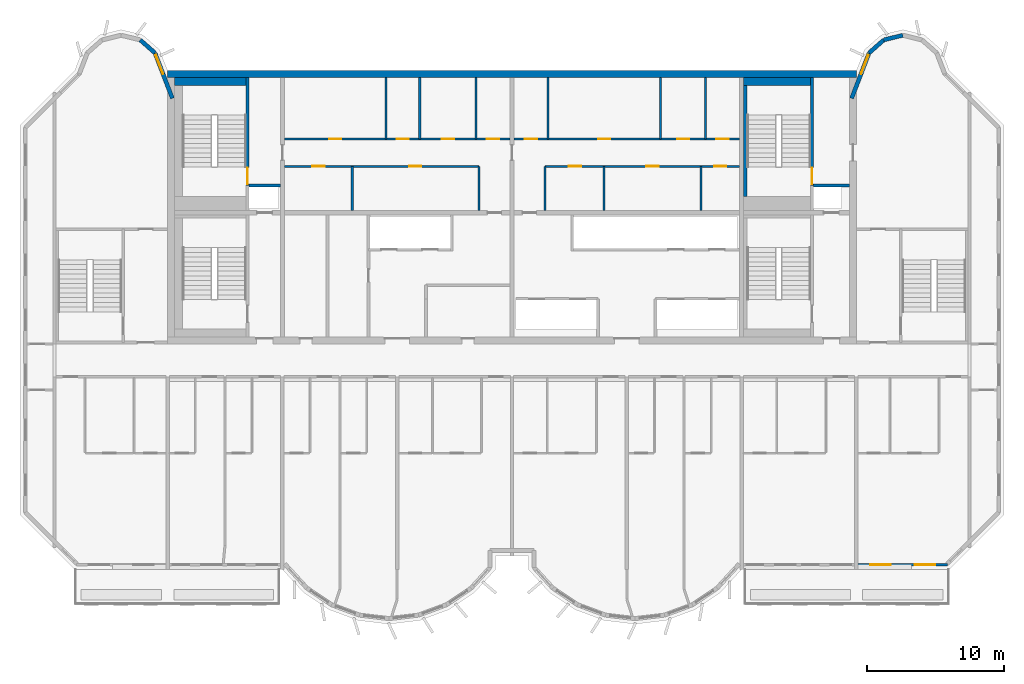
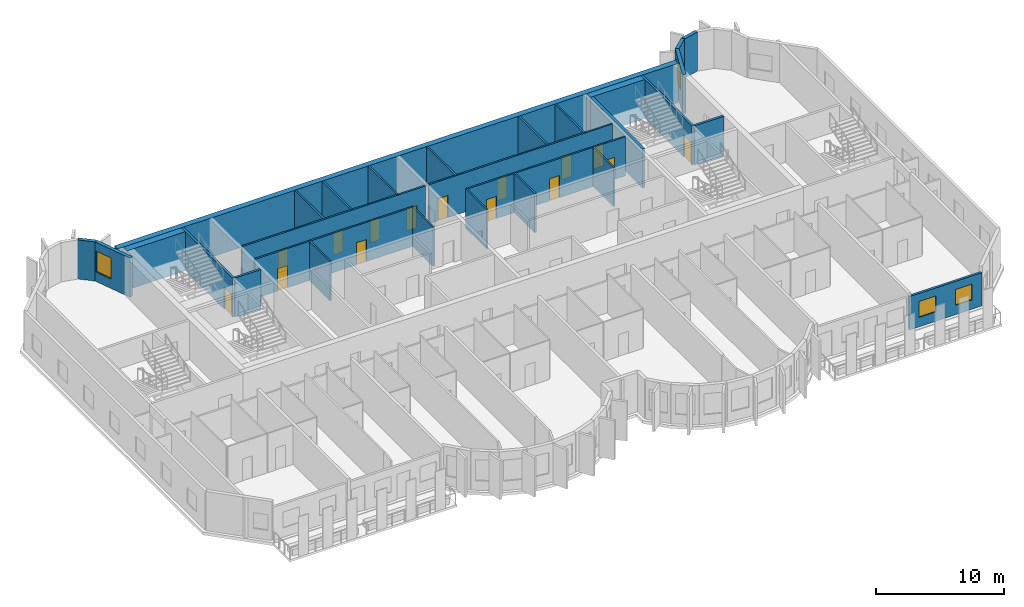
# One storey, part 7 of 12: 29 walls, 15 doors, 4 windows, 19 openings.
"""IFC4 building model written with IfcOpenShell, lengths in metres."""

from ifc_helpers import new_model, si_unit, direction, frame, frame_2d, origin, place, context, subcontext, project, spatial, rectangle, extrude, source, transform, mapped, material, layer, layer_set, type_object, element, fill, save


model = new_model("IFC4")

# Units and contexts
model_context = context("Model", 3, precision=1e-05, world=origin(), true_north=direction((0.0, 1.0)))
body_context = subcontext(model_context, "Body", "Model", "MODEL_VIEW")
ifc_project = project(units=[si_unit("LENGTHUNIT", "METRE"), si_unit("AREAUNIT", "SQUARE_METRE"), si_unit("VOLUMEUNIT", "CUBIC_METRE"), si_unit("PLANEANGLEUNIT", "RADIAN"), si_unit("MASSUNIT", "GRAM", prefix="KILO")], contexts=[model_context])

# Site, building, storey
site_placement = place(None, origin())
site = spatial("IfcSite", under=ifc_project, at=site_placement, CompositionType="ELEMENT")
building_placement = place(site_placement, origin())
building = spatial("IfcBuilding", under=site, at=building_placement, Name="Vanashikhar Sky Hotel", CompositionType="ELEMENT")
storey_placement = place(building_placement, frame((0.0, 0.0, 297.699951171875)))
storey = spatial("IfcBuildingStorey", under=building, at=storey_placement, Name="L71", CompositionType="ELEMENT", Elevation=297.699951171875)

# Wall
ifc_material_1 = material(Name="Concrete M50", Category="concrete")
ifc_layer_1 = layer(ifc_material_1, 0.5)
ifc_layer_set_1 = layer_set([ifc_layer_1], Name="RC core shell wall 500 Concrete M50")
wall_type_1 = type_object("IfcWallType", Name="RC core shell wall 500 Concrete M50", PredefinedType="SHEAR", material=ifc_layer_set_1)
shared_shape_1 = source(origin(), body_context, "Body", "SweptSolid", [
    extrude(rectangle(XDim=50.400146484375, YDim=0.5, at=frame_2d((25.2001953125, 0.0))), origin(), (0.0, 0.0, 1.0), 3.719970703125),
])
wall_1_placement = place(storey_placement, frame((25.199951171875, 41.75, 0.0), z_axis=(0.0, 0.0, 1.0), x_axis=(1.0, 0.0, 0.0)))
element("IfcWall", 1, at=wall_1_placement, inside=storey, type_object=wall_type_1, Name="KW-L71-KN", PredefinedType="SHEAR", context=body_context, shape_type="MappedRepresentation", body=[
    mapped(shared_shape_1, transform((0.0, 0.0, 0.0), scale=1.0)),
])

# Wall, openings, windows
ifc_layer_2 = layer(ifc_material_1, 0.199951171875)
ifc_layer_set_2 = layer_set([ifc_layer_2], Name="Front window wall 200")
wall_type_2 = type_object("IfcWallType", Name="Front window wall 200", PredefinedType="SOLIDWALL", material=ifc_layer_set_2)
shared_shape_2 = source(origin(), body_context, "Body", "SweptSolid", [
    extrude(rectangle(XDim=6.52978515625, YDim=0.199951171875, at=frame_2d((3.264892578125, 0.0))), origin(), (0.0, 0.0, 1.0), 3.170166015625),
])
wall_2_placement = place(storey_placement, frame((75.72509765625, 5.85009765625, 0.0), z_axis=(0.0, 0.0, 1.0), x_axis=(1.0, 0.0, 0.0)))
wall_2 = element("IfcWall", 2, at=wall_2_placement, inside=storey, type_object=wall_type_2, Name="Front window wall", PredefinedType="SOLIDWALL", context=body_context, shape_type="MappedRepresentation", body=[
    mapped(shared_shape_2, transform((0.0, 0.0, 0.0), scale=1.0)),
])
shared_shape_3 = source(origin(), body_context, "Body", "SweptSolid", [
    extrude(rectangle(XDim=1.5, YDim=1.5, at=frame_2d((0.75, 0.75))), frame((0.0, 0.10986328125, 0.0), z_axis=(0.0, -1.0, 0.0), x_axis=(1.0, 0.0, 0.0)), (0.0, 0.0, 1.0), 0.219970703125),
])
opening_1_placement = place(wall_2_placement, frame((0.882568359375, 0.0, 0.89990234375)))
opening_1 = element("IfcOpeningElement", 3, at=opening_1_placement, cuts=wall_2, Name="Opening WN-1", PredefinedType="OPENING", context=body_context, shape_type="MappedRepresentation", body=[
    mapped(shared_shape_3, transform((0.0, 0.0, 0.0), scale=1.0)),
])
opening_2_placement = place(wall_2_placement, frame((4.1474609375, 0.0, 0.89990234375)))
opening_2 = element("IfcOpeningElement", 4, at=opening_2_placement, cuts=wall_2, Name="Opening WN-1", PredefinedType="OPENING", context=body_context, shape_type="MappedRepresentation", body=[
    mapped(shared_shape_3, transform((0.0, 0.0, 0.0), scale=1.0)),
])
ifc_material_2 = material(Name="Glass", Category="glass")
window_type_1 = type_object("IfcWindowType", Name="Window 1500 x 1500", PartitioningType="SINGLE_PANEL", PredefinedType="WINDOW", material=ifc_material_2)
shared_shape_4 = source(origin(), body_context, "Body", "SweptSolid", [
    extrude(rectangle(XDim=1.5, YDim=1.5, at=frame_2d((0.75, 0.75))), frame((0.0, 0.030029296875, 0.0), z_axis=(0.0, -1.0, 0.0), x_axis=(1.0, 0.0, 0.0)), (0.0, 0.0, 1.0), 0.06005859375),
])
window_1_placement = place(opening_1_placement, origin())
window_1 = element("IfcWindow", 5, at=window_1_placement, inside=storey, type_object=window_type_1, Name="Window WN-1", OverallHeight=1.5, OverallWidth=1.5, PartitioningType="SINGLE_PANEL", PredefinedType="WINDOW", context=body_context, shape_type="MappedRepresentation", body=[
    mapped(shared_shape_4, transform((0.0, 0.0, 0.0), scale=1.0)),
])
fill(opening_1, window_1)
window_2_placement = place(opening_2_placement, origin())
window_2 = element("IfcWindow", 6, at=window_2_placement, inside=storey, type_object=window_type_1, Name="Window WN-1", OverallHeight=1.5, OverallWidth=1.5, PartitioningType="SINGLE_PANEL", PredefinedType="WINDOW", context=body_context, shape_type="MappedRepresentation", body=[
    mapped(shared_shape_4, transform((0.0, 0.0, 0.0), scale=1.0)),
])
fill(opening_2, window_2)

# Walls
ifc_layer_3 = layer(ifc_material_1, 0.300048828125)
ifc_layer_set_3 = layer_set([ifc_layer_3], Name="Lobe wall 300")
wall_type_3 = type_object("IfcWallType", Name="Lobe wall 300", PredefinedType="SOLIDWALL", material=ifc_layer_set_3)
shared_shape_5 = source(origin(), body_context, "Body", "SweptSolid", [
    extrude(rectangle(XDim=1.43994140625, YDim=0.300048828125, at=frame_2d((0.719970703125, 0.0))), origin(), (0.0, 0.0, 1.0), 3.719970703125),
])
wall_3_placement = place(storey_placement, frame((77.602783203125, 44.2451171875, 0.0), z_axis=(0.0, 0.0, 1.0), x_axis=(-0.74957555648, -0.661918790432, 0.0)))
element("IfcWall", 7, at=wall_3_placement, inside=storey, type_object=wall_type_3, Name="Lobe wall", PredefinedType="SOLIDWALL", context=body_context, shape_type="MappedRepresentation", body=[
    mapped(shared_shape_5, transform((0.0, 0.0, 0.0), scale=1.0)),
])
shared_shape_6 = source(origin(), body_context, "Body", "SweptSolid", [
    extrude(rectangle(XDim=1.438720703125, YDim=0.300048828125, at=frame_2d((0.71923828125, 0.0))), origin(), (0.0, 0.0, 1.0), 3.719970703125),
])
wall_4_placement = place(storey_placement, frame((79.0, 44.588134765625, 0.0), z_axis=(0.0, 0.0, 1.0), x_axis=(-0.971161932466, -0.238420848351, 0.0)))
element("IfcWall", 8, at=wall_4_placement, inside=storey, type_object=wall_type_3, Name="Lobe wall", PredefinedType="SOLIDWALL", context=body_context, shape_type="MappedRepresentation", body=[
    mapped(shared_shape_6, transform((0.0, 0.0, 0.0), scale=1.0)),
])

# Wall, opening, window
shared_shape_7 = source(origin(), body_context, "Body", "SweptSolid", [
    extrude(rectangle(XDim=3.55908203125, YDim=0.300048828125, at=frame_2d((1.779541015625, 0.0))), origin(), (0.0, 0.0, 1.0), 3.719970703125),
])
wall_5_placement = place(storey_placement, frame((76.5234375, 43.2919921875, 0.0), z_axis=(0.0, 0.0, 1.0), x_axis=(-0.35779745313, -0.933799219604, 0.0)))
wall_5 = element("IfcWall", 9, at=wall_5_placement, inside=storey, type_object=wall_type_3, Name="Lobe wall", PredefinedType="SOLIDWALL", context=body_context, shape_type="MappedRepresentation", body=[
    mapped(shared_shape_7, transform((0.0, 0.0, 0.0), scale=1.0)),
])
shared_shape_8 = source(origin(), body_context, "Body", "SweptSolid", [
    extrude(rectangle(XDim=1.5, YDim=2.0, at=frame_2d((0.75, 1.0))), frame((0.0, 0.16015625, 0.0), z_axis=(0.0, -1.0, 0.0), x_axis=(1.0, 0.0, 0.0)), (0.0, 0.0, 1.0), 0.320068359375),
])
opening_3_placement = place(wall_5_placement, frame((0.156005859375, 0.0, 0.89990234375)))
opening_3 = element("IfcOpeningElement", 10, at=opening_3_placement, cuts=wall_5, Name="Opening WN-2", PredefinedType="OPENING", context=body_context, shape_type="MappedRepresentation", body=[
    mapped(shared_shape_8, transform((0.0, 0.0, 0.0), scale=1.0)),
])
window_type_2 = type_object("IfcWindowType", Name="Lobe window 1500 x 2000", PartitioningType="SINGLE_PANEL", PredefinedType="WINDOW", material=ifc_material_2)
shared_shape_9 = source(origin(), body_context, "Body", "SweptSolid", [
    extrude(rectangle(XDim=1.5, YDim=2.0, at=frame_2d((0.75, 1.0))), frame((0.0, 0.030029296875, 0.0), z_axis=(0.0, -1.0, 0.0), x_axis=(1.0, 0.0, 0.0)), (0.0, 0.0, 1.0), 0.06005859375),
])
window_3_placement = place(opening_3_placement, origin())
window_3 = element("IfcWindow", 11, at=window_3_placement, inside=storey, type_object=window_type_2, Name="Window WN-2", OverallHeight=2.0, OverallWidth=1.5, PartitioningType="SINGLE_PANEL", PredefinedType="WINDOW", context=body_context, shape_type="MappedRepresentation", body=[
    mapped(shared_shape_9, transform((0.0, 0.0, 0.0), scale=1.0)),
])
fill(opening_3, window_3)

wall_6_placement = place(storey_placement, frame((25.550048828125, 39.968505859375, 0.0), z_axis=(0.0, 0.0, 1.0), x_axis=(-0.35779745313, 0.933799219604, 0.0)))
wall_6 = element("IfcWall", 12, at=wall_6_placement, inside=storey, type_object=wall_type_3, Name="Lobe wall", PredefinedType="SOLIDWALL", context=body_context, shape_type="MappedRepresentation", body=[
    mapped(shared_shape_7, transform((0.0, 0.0, 0.0), scale=1.0)),
])
opening_4_placement = place(wall_6_placement, frame((1.9033203125, 0.0, 0.89990234375)))
opening_4 = element("IfcOpeningElement", 13, at=opening_4_placement, cuts=wall_6, Name="Opening WN-2", PredefinedType="OPENING", context=body_context, shape_type="MappedRepresentation", body=[
    mapped(shared_shape_8, transform((0.0, 0.0, 0.0), scale=1.0)),
])
window_4_placement = place(opening_4_placement, origin())
window_4 = element("IfcWindow", 14, at=window_4_placement, inside=storey, type_object=window_type_2, Name="Window WN-2", OverallHeight=2.0, OverallWidth=1.5, PartitioningType="SINGLE_PANEL", PredefinedType="WINDOW", context=body_context, shape_type="MappedRepresentation", body=[
    mapped(shared_shape_9, transform((0.0, 0.0, 0.0), scale=1.0)),
])
fill(opening_4, window_4)

# Walls
shared_shape_10 = source(origin(), body_context, "Body", "SweptSolid", [
    extrude(rectangle(XDim=1.440185546875, YDim=0.300048828125, at=frame_2d((0.72021484375, 0.0))), origin(), (0.0, 0.0, 1.0), 3.719970703125),
])
wall_7_placement = place(storey_placement, frame((24.276611328125, 43.2919921875, 0.0), z_axis=(0.0, 0.0, 1.0), x_axis=(-0.749649827867, 0.661834673902, 0.0)))
element("IfcWall", 15, at=wall_7_placement, inside=storey, type_object=wall_type_3, Name="Lobe wall", PredefinedType="SOLIDWALL", context=body_context, shape_type="MappedRepresentation", body=[
    mapped(shared_shape_10, transform((0.0, 0.0, 0.0), scale=1.0)),
])
ifc_material_3 = material(Name="Gypsum board partition")
ifc_layer_4 = layer(ifc_material_3, 0.14990234375)
ifc_layer_set_4 = layer_set([ifc_layer_4], Name="Service partition 150")
wall_type_4 = type_object("IfcWallType", Name="Service partition 150", PredefinedType="PARTITIONING", material=ifc_layer_set_4)
shared_shape_11 = source(origin(), body_context, "Body", "SweptSolid", [
    extrude(rectangle(XDim=3.25, YDim=0.14990234375, at=frame_2d((1.625, 0.0))), origin(), (0.0, 0.0, 1.0), 3.719970703125),
])
for number, where, z_axis, x_axis, name in (
    (16, (48.0, 31.75, 0.0), (0.0, 0.0, 1.0), (0.0, 1.0, 0.0), "Service partition 150"),
    (17, (38.7109375, 31.75, 0.0), (0.0, 0.0, 1.0), (0.0, 1.0, 0.0), "Service partition 150"),
    (18, (52.800048828125, 31.75, 0.0), (0.0, 0.0, 1.0), (0.0, 1.0, 0.0), "Service partition 150"),
    (19, (64.215087890625, 31.75, 0.0), (0.0, 0.0, 1.0), (0.0, 1.0, 0.0), "Service partition 150"),
    (20, (57.126953125, 31.75, 0.0), (0.0, 0.0, 1.0), (0.0, 1.0, 0.0), "Service partition 150"),
):
    element("IfcWall", number, at=place(storey_placement, frame(where, z_axis=z_axis, x_axis=x_axis)), inside=storey, type_object=wall_type_4, Name=name, PredefinedType="PARTITIONING", context=body_context, shape_type="MappedRepresentation", body=[
        mapped(shared_shape_11, transform((0.0, 0.0, 0.0), scale=1.0)),
    ])

# Wall, openings, doors
shared_shape_12 = source(origin(), body_context, "Body", "SweptSolid", [
    extrude(rectangle(XDim=14.25, YDim=0.14990234375, at=frame_2d((7.125, 0.0))), origin(), (0.0, 0.0, 1.0), 3.719970703125),
])
wall_8_placement = place(storey_placement, frame((33.75, 35.0, 0.0), z_axis=(0.0, 0.0, 1.0), x_axis=(1.0, 0.0, 0.0)))
wall_8 = element("IfcWall", 21, at=wall_8_placement, inside=storey, type_object=wall_type_4, Name="Service partition 150", PredefinedType="PARTITIONING", context=body_context, shape_type="MappedRepresentation", body=[
    mapped(shared_shape_12, transform((0.0, 0.0, 0.0), scale=1.0)),
])
shared_shape_13 = source(origin(), body_context, "Body", "SweptSolid", [
    extrude(rectangle(XDim=0.89990234375, YDim=2.10009765625, at=frame_2d((0.449951171875, 1.050048828125))), frame((0.0, 0.0849609375, 0.0), z_axis=(0.0, -1.0, 0.0), x_axis=(1.0, 0.0, 0.0)), (0.0, 0.0, 1.0), 0.169921875),
])
opening_5_placement = place(wall_8_placement, frame((2.031005859375, 0.0, 0.0)))
opening_5 = element("IfcOpeningElement", 22, at=opening_5_placement, cuts=wall_8, Name="Opening DC-4-A", PredefinedType="OPENING", context=body_context, shape_type="MappedRepresentation", body=[
    mapped(shared_shape_13, transform((0.0, 0.0, 0.0), scale=1.0)),
])
opening_6_placement = place(wall_8_placement, frame((9.117919921875, 0.0, 0.0)))
opening_6 = element("IfcOpeningElement", 23, at=opening_6_placement, cuts=wall_8, Name="Opening DC-4-A", PredefinedType="OPENING", context=body_context, shape_type="MappedRepresentation", body=[
    mapped(shared_shape_13, transform((0.0, 0.0, 0.0), scale=1.0)),
])
ifc_material_4 = material(Name="Steel", Category="steel")
door_type_1 = type_object("IfcDoorType", Name="Service door 900 FD60", OperationType="NOTDEFINED", PredefinedType="DOOR", material=ifc_material_4)
shared_shape_14 = source(origin(), body_context, "Body", "SweptSolid", [
    extrude(rectangle(XDim=0.89990234375, YDim=2.10009765625, at=frame_2d((0.449951171875, 1.050048828125))), frame((0.0, 0.02490234375, 0.0), z_axis=(0.0, -1.0, 0.0), x_axis=(1.0, 0.0, 0.0)), (0.0, 0.0, 1.0), 0.050048828125),
])
door_1_placement = place(opening_5_placement, origin())
door_1 = element("IfcDoor", 24, at=door_1_placement, inside=storey, type_object=door_type_1, Name="Service door 900 FD60", OperationType="SINGLE_SWING_RIGHT", OverallHeight=2.10009765625, OverallWidth=0.89990234375, PredefinedType="DOOR", context=body_context, shape_type="MappedRepresentation", body=[
    mapped(shared_shape_14, transform((0.0, 0.0, 0.0), scale=1.0)),
])
fill(opening_5, door_1)
door_2_placement = place(opening_6_placement, origin())
door_2 = element("IfcDoor", 25, at=door_2_placement, inside=storey, type_object=door_type_1, Name="Service door 900 FD60", OperationType="SINGLE_SWING_RIGHT", OverallHeight=2.10009765625, OverallWidth=0.89990234375, PredefinedType="DOOR", context=body_context, shape_type="MappedRepresentation", body=[
    mapped(shared_shape_14, transform((0.0, 0.0, 0.0), scale=1.0)),
])
fill(opening_6, door_2)

wall_9_placement = place(storey_placement, frame((67.050048828125, 35.0, 0.0), z_axis=(0.0, 0.0, 1.0), x_axis=(-1.0, 0.0, 0.0)))
wall_9 = element("IfcWall", 26, at=wall_9_placement, inside=storey, type_object=wall_type_4, Name="Service partition 150", PredefinedType="PARTITIONING", context=body_context, shape_type="MappedRepresentation", body=[
    mapped(shared_shape_12, transform((0.0, 0.0, 0.0), scale=1.0)),
])
opening_7_placement = place(wall_9_placement, frame((0.968017578125, 0.0, 0.0)))
opening_7 = element("IfcOpeningElement", 27, at=opening_7_placement, cuts=wall_9, Name="Opening DC-4-A", PredefinedType="OPENING", context=body_context, shape_type="MappedRepresentation", body=[
    mapped(shared_shape_13, transform((0.0, 0.0, 0.0), scale=1.0)),
])
opening_8_placement = place(wall_9_placement, frame((5.928955078125, 0.0, 0.0)))
opening_8 = element("IfcOpeningElement", 28, at=opening_8_placement, cuts=wall_9, Name="Opening DC-4-A", PredefinedType="OPENING", context=body_context, shape_type="MappedRepresentation", body=[
    mapped(shared_shape_13, transform((0.0, 0.0, 0.0), scale=1.0)),
])
opening_9_placement = place(wall_9_placement, frame((11.59912109375, 0.0, 0.0)))
opening_9 = element("IfcOpeningElement", 29, at=opening_9_placement, cuts=wall_9, Name="Opening DC-4-A", PredefinedType="OPENING", context=body_context, shape_type="MappedRepresentation", body=[
    mapped(shared_shape_13, transform((0.0, 0.0, 0.0), scale=1.0)),
])
door_3_placement = place(opening_7_placement, origin())
door_3 = element("IfcDoor", 30, at=door_3_placement, inside=storey, type_object=door_type_1, Name="Service door 900 FD60", OperationType="SINGLE_SWING_RIGHT", OverallHeight=2.10009765625, OverallWidth=0.89990234375, PredefinedType="DOOR", context=body_context, shape_type="MappedRepresentation", body=[
    mapped(shared_shape_14, transform((0.0, 0.0, 0.0), scale=1.0)),
])
fill(opening_7, door_3)
door_4_placement = place(opening_8_placement, origin())
door_4 = element("IfcDoor", 31, at=door_4_placement, inside=storey, type_object=door_type_1, Name="Service door 900 FD60", OperationType="SINGLE_SWING_RIGHT", OverallHeight=2.10009765625, OverallWidth=0.89990234375, PredefinedType="DOOR", context=body_context, shape_type="MappedRepresentation", body=[
    mapped(shared_shape_14, transform((0.0, 0.0, 0.0), scale=1.0)),
])
fill(opening_8, door_4)
door_5_placement = place(opening_9_placement, origin())
door_5 = element("IfcDoor", 32, at=door_5_placement, inside=storey, type_object=door_type_1, Name="Service door 900 FD60", OperationType="SINGLE_SWING_RIGHT", OverallHeight=2.10009765625, OverallWidth=0.89990234375, PredefinedType="DOOR", context=body_context, shape_type="MappedRepresentation", body=[
    mapped(shared_shape_14, transform((0.0, 0.0, 0.0), scale=1.0)),
])
fill(opening_9, door_5)

shared_shape_15 = source(origin(), body_context, "Body", "SweptSolid", [
    extrude(rectangle(XDim=16.5, YDim=0.14990234375, at=frame_2d((8.25, 0.0))), origin(), (0.0, 0.0, 1.0), 3.719970703125),
])
wall_10_placement = place(storey_placement, frame((33.75, 37.0, 0.0), z_axis=(0.0, 0.0, 1.0), x_axis=(1.0, 0.0, 0.0)))
wall_10 = element("IfcWall", 33, at=wall_10_placement, inside=storey, type_object=wall_type_4, Name="Service partition 150", PredefinedType="PARTITIONING", context=body_context, shape_type="MappedRepresentation", body=[
    mapped(shared_shape_15, transform((0.0, 0.0, 0.0), scale=1.0)),
])
opening_10_placement = place(wall_10_placement, frame((3.261962890625, 0.0, 0.0)))
opening_10 = element("IfcOpeningElement", 34, at=opening_10_placement, cuts=wall_10, Name="Opening DC-4-A", PredefinedType="OPENING", context=body_context, shape_type="MappedRepresentation", body=[
    mapped(shared_shape_13, transform((0.0, 0.0, 0.0), scale=1.0)),
])
opening_11_placement = place(wall_10_placement, frame((8.2119140625, 0.0, 0.0)))
opening_11 = element("IfcOpeningElement", 35, at=opening_11_placement, cuts=wall_10, Name="Opening DC-4-A", PredefinedType="OPENING", context=body_context, shape_type="MappedRepresentation", body=[
    mapped(shared_shape_13, transform((0.0, 0.0, 0.0), scale=1.0)),
])
opening_12_placement = place(wall_10_placement, frame((11.511962890625, 0.0, 0.0)))
opening_12 = element("IfcOpeningElement", 36, at=opening_12_placement, cuts=wall_10, Name="Opening DC-4-A", PredefinedType="OPENING", context=body_context, shape_type="MappedRepresentation", body=[
    mapped(shared_shape_13, transform((0.0, 0.0, 0.0), scale=1.0)),
])
opening_13_placement = place(wall_10_placement, frame((14.81298828125, 0.0, 0.0)))
opening_13 = element("IfcOpeningElement", 37, at=opening_13_placement, cuts=wall_10, Name="Opening DC-4-A", PredefinedType="OPENING", context=body_context, shape_type="MappedRepresentation", body=[
    mapped(shared_shape_13, transform((0.0, 0.0, 0.0), scale=1.0)),
])
door_6_placement = place(opening_10_placement, origin())
door_6 = element("IfcDoor", 38, at=door_6_placement, inside=storey, type_object=door_type_1, Name="Service door 900 FD60", OperationType="SINGLE_SWING_LEFT", OverallHeight=2.10009765625, OverallWidth=0.89990234375, PredefinedType="DOOR", context=body_context, shape_type="MappedRepresentation", body=[
    mapped(shared_shape_14, transform((0.0, 0.0, 0.0), scale=1.0)),
])
fill(opening_10, door_6)
door_7_placement = place(opening_11_placement, origin())
door_7 = element("IfcDoor", 39, at=door_7_placement, inside=storey, type_object=door_type_1, Name="Service door 900 FD60", OperationType="SINGLE_SWING_LEFT", OverallHeight=2.10009765625, OverallWidth=0.89990234375, PredefinedType="DOOR", context=body_context, shape_type="MappedRepresentation", body=[
    mapped(shared_shape_14, transform((0.0, 0.0, 0.0), scale=1.0)),
])
fill(opening_11, door_7)
door_8_placement = place(opening_12_placement, origin())
door_8 = element("IfcDoor", 40, at=door_8_placement, inside=storey, type_object=door_type_1, Name="Service door 900 FD60", OperationType="SINGLE_SWING_LEFT", OverallHeight=2.10009765625, OverallWidth=0.89990234375, PredefinedType="DOOR", context=body_context, shape_type="MappedRepresentation", body=[
    mapped(shared_shape_14, transform((0.0, 0.0, 0.0), scale=1.0)),
])
fill(opening_12, door_8)
door_9_placement = place(opening_13_placement, origin())
door_9 = element("IfcDoor", 41, at=door_9_placement, inside=storey, type_object=door_type_1, Name="Service door 900 FD60", OperationType="SINGLE_SWING_LEFT", OverallHeight=2.10009765625, OverallWidth=0.89990234375, PredefinedType="DOOR", context=body_context, shape_type="MappedRepresentation", body=[
    mapped(shared_shape_14, transform((0.0, 0.0, 0.0), scale=1.0)),
])
fill(opening_13, door_9)

wall_11_placement = place(storey_placement, frame((67.050048828125, 37.0, 0.0), z_axis=(0.0, 0.0, 1.0), x_axis=(-1.0, 0.0, 0.0)))
wall_11 = element("IfcWall", 42, at=wall_11_placement, inside=storey, type_object=wall_type_4, Name="Service partition 150", PredefinedType="PARTITIONING", context=body_context, shape_type="MappedRepresentation", body=[
    mapped(shared_shape_15, transform((0.0, 0.0, 0.0), scale=1.0)),
])
opening_14_placement = place(wall_11_placement, frame((0.7880859375, 0.0, 0.0)))
opening_14 = element("IfcOpeningElement", 43, at=opening_14_placement, cuts=wall_11, Name="Opening DC-4-A", PredefinedType="OPENING", context=body_context, shape_type="MappedRepresentation", body=[
    mapped(shared_shape_13, transform((0.0, 0.0, 0.0), scale=1.0)),
])
opening_15_placement = place(wall_11_placement, frame((3.675048828125, 0.0, 0.0)))
opening_15 = element("IfcOpeningElement", 44, at=opening_15_placement, cuts=wall_11, Name="Opening DC-4-A", PredefinedType="OPENING", context=body_context, shape_type="MappedRepresentation", body=[
    mapped(shared_shape_13, transform((0.0, 0.0, 0.0), scale=1.0)),
])
opening_16_placement = place(wall_11_placement, frame((9.449951171875, 0.0, 0.0)))
opening_16 = element("IfcOpeningElement", 45, at=opening_16_placement, cuts=wall_11, Name="Opening DC-4-A", PredefinedType="OPENING", context=body_context, shape_type="MappedRepresentation", body=[
    mapped(shared_shape_13, transform((0.0, 0.0, 0.0), scale=1.0)),
])
opening_17_placement = place(wall_11_placement, frame((14.81298828125, 0.0, 0.0)))
opening_17 = element("IfcOpeningElement", 46, at=opening_17_placement, cuts=wall_11, Name="Opening DC-4-A", PredefinedType="OPENING", context=body_context, shape_type="MappedRepresentation", body=[
    mapped(shared_shape_13, transform((0.0, 0.0, 0.0), scale=1.0)),
])
door_10_placement = place(opening_14_placement, origin())
door_10 = element("IfcDoor", 47, at=door_10_placement, inside=storey, type_object=door_type_1, Name="Service door 900 FD60", OperationType="SINGLE_SWING_LEFT", OverallHeight=2.10009765625, OverallWidth=0.89990234375, PredefinedType="DOOR", context=body_context, shape_type="MappedRepresentation", body=[
    mapped(shared_shape_14, transform((0.0, 0.0, 0.0), scale=1.0)),
])
fill(opening_14, door_10)
door_11_placement = place(opening_15_placement, origin())
door_11 = element("IfcDoor", 48, at=door_11_placement, inside=storey, type_object=door_type_1, Name="Service door 900 FD60", OperationType="SINGLE_SWING_LEFT", OverallHeight=2.10009765625, OverallWidth=0.89990234375, PredefinedType="DOOR", context=body_context, shape_type="MappedRepresentation", body=[
    mapped(shared_shape_14, transform((0.0, 0.0, 0.0), scale=1.0)),
])
fill(opening_15, door_11)
door_12_placement = place(opening_16_placement, origin())
door_12 = element("IfcDoor", 49, at=door_12_placement, inside=storey, type_object=door_type_1, Name="Service door 900 FD60", OperationType="SINGLE_SWING_LEFT", OverallHeight=2.10009765625, OverallWidth=0.89990234375, PredefinedType="DOOR", context=body_context, shape_type="MappedRepresentation", body=[
    mapped(shared_shape_14, transform((0.0, 0.0, 0.0), scale=1.0)),
])
fill(opening_16, door_12)
door_13_placement = place(opening_17_placement, origin())
door_13 = element("IfcDoor", 50, at=door_13_placement, inside=storey, type_object=door_type_1, Name="Service door 900 FD60", OperationType="SINGLE_SWING_RIGHT", OverallHeight=2.10009765625, OverallWidth=0.89990234375, PredefinedType="DOOR", context=body_context, shape_type="MappedRepresentation", body=[
    mapped(shared_shape_14, transform((0.0, 0.0, 0.0), scale=1.0)),
])
fill(opening_17, door_13)

# Walls
shared_shape_16 = source(origin(), body_context, "Body", "SweptSolid", [
    extrude(rectangle(XDim=4.5, YDim=0.14990234375, at=frame_2d((2.25, 0.0))), origin(), (0.0, 0.0, 1.0), 3.719970703125),
])
for number, where, z_axis, x_axis, name in (
    (51, (41.175048828125, 37.0, 0.0), (0.0, 0.0, 1.0), (0.0, 1.0, 0.0), "Service partition 150"),
    (52, (43.64990234375, 37.0, 0.0), (0.0, 0.0, 1.0), (0.0, 1.0, 0.0), "Service partition 150"),
    (53, (47.77490234375, 37.0, 0.0), (0.0, 0.0, 1.0), (0.0, 1.0, 0.0), "Service partition 150"),
    (54, (64.574951171875, 37.0, 0.0), (0.0, 0.0, 1.0), (0.0, 1.0, 0.0), "Service partition 150"),
    (55, (61.27490234375, 37.0, 0.0), (0.0, 0.0, 1.0), (0.0, 1.0, 0.0), "Service partition 150"),
    (56, (53.02490234375, 37.0, 0.0), (0.0, 0.0, 1.0), (0.0, 1.0, 0.0), "Service partition 150"),
):
    element("IfcWall", number, at=place(storey_placement, frame(where, z_axis=z_axis, x_axis=x_axis)), inside=storey, type_object=wall_type_4, Name=name, PredefinedType="PARTITIONING", context=body_context, shape_type="MappedRepresentation", body=[
        mapped(shared_shape_16, transform((0.0, 0.0, 0.0), scale=1.0)),
    ])
ifc_material_5 = material(Name="Concrete M40", Category="concrete")
ifc_layer_5 = layer(ifc_material_5, 0.199951171875)
ifc_layer_set_5 = layer_set([ifc_layer_5], Name="Shaft wall 200")
wall_type_5 = type_object("IfcWallType", Name="Shaft wall 200", PredefinedType="SOLIDWALL", material=ifc_layer_set_5)
shared_shape_17 = source(origin(), body_context, "Body", "SweptSolid", [
    extrude(rectangle(XDim=2.300048828125, YDim=0.199951171875, at=frame_2d((1.14990234375, 0.0))), origin(), (0.0, 0.0, 1.0), 3.719970703125),
])
wall_12_placement = place(storey_placement, frame((31.14990234375, 33.60009765625, 0.0), z_axis=(0.0, 0.0, 1.0), x_axis=(1.0, 0.0, 0.0)))
element("IfcWall", 57, at=wall_12_placement, inside=storey, type_object=wall_type_5, Name="Shaft wall 200", PredefinedType="SOLIDWALL", context=body_context, shape_type="MappedRepresentation", body=[
    mapped(shared_shape_17, transform((0.0, 0.0, 0.0), scale=1.0)),
])

# Wall, opening, door
ifc_layer_6 = layer(ifc_material_1, 0.199951171875)
ifc_layer_set_6 = layer_set([ifc_layer_6], Name="Stair wall 200")
wall_type_6 = type_object("IfcWallType", Name="Stair wall 200", PredefinedType="SOLIDWALL", material=ifc_layer_set_6)
shared_shape_18 = source(origin(), body_context, "Body", "SweptSolid", [
    extrude(rectangle(XDim=7.89990234375, YDim=0.199951171875, at=frame_2d((3.949951171875, 0.0))), origin(), (0.0, 0.0, 1.0), 3.719970703125),
])
wall_13_placement = place(storey_placement, frame((31.050048828125, 33.60009765625, 0.0), z_axis=(0.0, 0.0, 1.0), x_axis=(0.0, 1.0, 0.0)))
wall_13 = element("IfcWall", 58, at=wall_13_placement, inside=storey, type_object=wall_type_6, Name="Stair wall 200", PredefinedType="SOLIDWALL", context=body_context, shape_type="MappedRepresentation", body=[
    mapped(shared_shape_18, transform((0.0, 0.0, 0.0), scale=1.0)),
])
shared_shape_19 = source(origin(), body_context, "Body", "SweptSolid", [
    extrude(rectangle(XDim=1.199951171875, YDim=2.10009765625, at=frame_2d((0.60009765625, 1.050048828125))), frame((0.0, 0.10986328125, 0.0), z_axis=(0.0, -1.0, 0.0), x_axis=(1.0, 0.0, 0.0)), (0.0, 0.0, 1.0), 0.219970703125),
])
opening_18_placement = place(wall_13_placement, frame((0.10009765625, 0.0, 0.0)))
opening_18 = element("IfcOpeningElement", 59, at=opening_18_placement, cuts=wall_13, Name="Opening DC-1", PredefinedType="OPENING", context=body_context, shape_type="MappedRepresentation", body=[
    mapped(shared_shape_19, transform((0.0, 0.0, 0.0), scale=1.0)),
])
door_type_2 = type_object("IfcDoorType", Name="Stair door 1200 FD120", OperationType="NOTDEFINED", PredefinedType="DOOR", material=ifc_material_4)
shared_shape_20 = source(origin(), body_context, "Body", "SweptSolid", [
    extrude(rectangle(XDim=1.199951171875, YDim=2.10009765625, at=frame_2d((0.60009765625, 1.050048828125))), frame((0.0, 0.02490234375, 0.0), z_axis=(0.0, -1.0, 0.0), x_axis=(1.0, 0.0, 0.0)), (0.0, 0.0, 1.0), 0.050048828125),
])
door_14_placement = place(opening_18_placement, origin())
door_14 = element("IfcDoor", 60, at=door_14_placement, inside=storey, type_object=door_type_2, Name="Stair door 1200 FD120", OperationType="SINGLE_SWING_LEFT", OverallHeight=2.10009765625, OverallWidth=1.199951171875, PredefinedType="DOOR", context=body_context, shape_type="MappedRepresentation", body=[
    mapped(shared_shape_20, transform((0.0, 0.0, 0.0), scale=1.0)),
])
fill(opening_18, door_14)

wall_14_placement = place(storey_placement, frame((72.35009765625, 33.60009765625, 0.0), z_axis=(0.0, 0.0, 1.0), x_axis=(0.0, 1.0, 0.0)))
wall_14 = element("IfcWall", 61, at=wall_14_placement, inside=storey, type_object=wall_type_6, Name="Stair wall 200", PredefinedType="SOLIDWALL", context=body_context, shape_type="MappedRepresentation", body=[
    mapped(shared_shape_18, transform((0.0, 0.0, 0.0), scale=1.0)),
])
opening_19_placement = place(wall_14_placement, frame((0.10009765625, 0.0, 0.0)))
opening_19 = element("IfcOpeningElement", 62, at=opening_19_placement, cuts=wall_14, Name="Opening DC-1", PredefinedType="OPENING", context=body_context, shape_type="MappedRepresentation", body=[
    mapped(shared_shape_19, transform((0.0, 0.0, 0.0), scale=1.0)),
])
door_15_placement = place(opening_19_placement, origin())
door_15 = element("IfcDoor", 63, at=door_15_placement, inside=storey, type_object=door_type_2, Name="Stair door 1200 FD120", OperationType="SINGLE_SWING_LEFT", OverallHeight=2.10009765625, OverallWidth=1.199951171875, PredefinedType="DOOR", context=body_context, shape_type="MappedRepresentation", body=[
    mapped(shared_shape_20, transform((0.0, 0.0, 0.0), scale=1.0)),
])
fill(opening_19, door_15)

# Walls
shared_shape_21 = source(origin(), body_context, "Body", "SweptSolid", [
    extrude(rectangle(XDim=2.650146484375, YDim=0.199951171875, at=frame_2d((1.3251953125, 0.0))), origin(), (0.0, 0.0, 1.0), 3.719970703125),
])
wall_15_placement = place(storey_placement, frame((72.449951171875, 33.60009765625, 0.0), z_axis=(0.0, 0.0, 1.0), x_axis=(1.0, 0.0, 0.0)))
element("IfcWall", 64, at=wall_15_placement, inside=storey, type_object=wall_type_5, Name="Shaft wall 200", PredefinedType="SOLIDWALL", context=body_context, shape_type="MappedRepresentation", body=[
    mapped(shared_shape_21, transform((0.0, 0.0, 0.0), scale=1.0)),
])
ifc_layer_7 = layer(ifc_material_1, 0.60009765625)
ifc_layer_set_7 = layer_set([ifc_layer_7], Name="Stair infill wall 600")
wall_type_7 = type_object("IfcWallType", Name="Stair infill wall 600", PredefinedType="SOLIDWALL", material=ifc_layer_set_7)
shared_shape_22 = source(origin(), body_context, "Body", "SweptSolid", [
    extrude(rectangle(XDim=5.25, YDim=0.60009765625, at=frame_2d((2.625, 0.0))), origin(), (0.0, 0.0, 1.0), 3.719970703125),
])
wall_16_placement = place(storey_placement, frame((25.699951171875, 41.199951171875, 0.0), z_axis=(0.0, 0.0, 1.0), x_axis=(1.0, 0.0, 0.0)))
element("IfcWall", 65, at=wall_16_placement, inside=storey, type_object=wall_type_7, Name="Stair infill wall 600", PredefinedType="SOLIDWALL", context=body_context, shape_type="MappedRepresentation", body=[
    mapped(shared_shape_22, transform((0.0, 0.0, 0.0), scale=1.0)),
])
shared_shape_23 = source(origin(), body_context, "Body", "SweptSolid", [
    extrude(rectangle(XDim=4.89990234375, YDim=0.60009765625, at=frame_2d((2.449951171875, 0.0))), origin(), (0.0, 0.0, 1.0), 3.719970703125),
])
wall_17_placement = place(storey_placement, frame((67.35009765625, 41.199951171875, 0.0), z_axis=(0.0, 0.0, 1.0), x_axis=(1.0, 0.0, 0.0)))
element("IfcWall", 66, at=wall_17_placement, inside=storey, type_object=wall_type_7, Name="Stair infill wall 600", PredefinedType="SOLIDWALL", context=body_context, shape_type="MappedRepresentation", body=[
    mapped(shared_shape_23, transform((0.0, 0.0, 0.0), scale=1.0)),
])
ifc_layer_8 = layer(ifc_material_1, 0.25)
ifc_layer_set_8 = layer_set([ifc_layer_8], Name="Stair infill wall 250")
wall_type_8 = type_object("IfcWallType", Name="Stair infill wall 250", PredefinedType="SOLIDWALL", material=ifc_layer_set_8)
shared_shape_24 = source(origin(), body_context, "Body", "SweptSolid", [
    extrude(rectangle(XDim=8.099853515625, YDim=0.25, at=frame_2d((4.0498046875, 0.0))), origin(), (0.0, 0.0, 1.0), 3.719970703125),
])
wall_18_placement = place(storey_placement, frame((67.47509765625, 32.800048828125, 0.0), z_axis=(0.0, 0.0, 1.0), x_axis=(0.0, 1.0, 0.0)))
element("IfcWall", 67, at=wall_18_placement, inside=storey, type_object=wall_type_8, Name="Stair infill wall 250", PredefinedType="SOLIDWALL", context=body_context, shape_type="MappedRepresentation", body=[
    mapped(shared_shape_24, transform((0.0, 0.0, 0.0), scale=1.0)),
])

save(model, "model.ifc")
